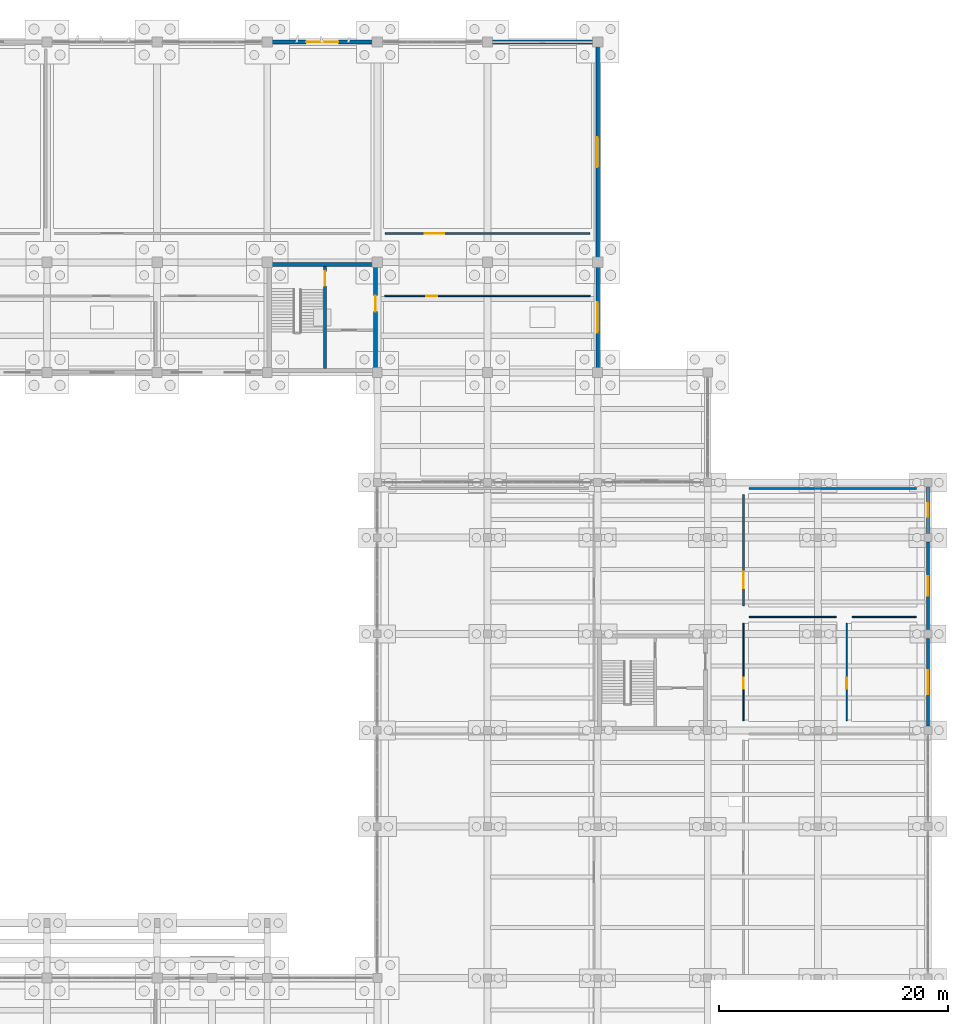
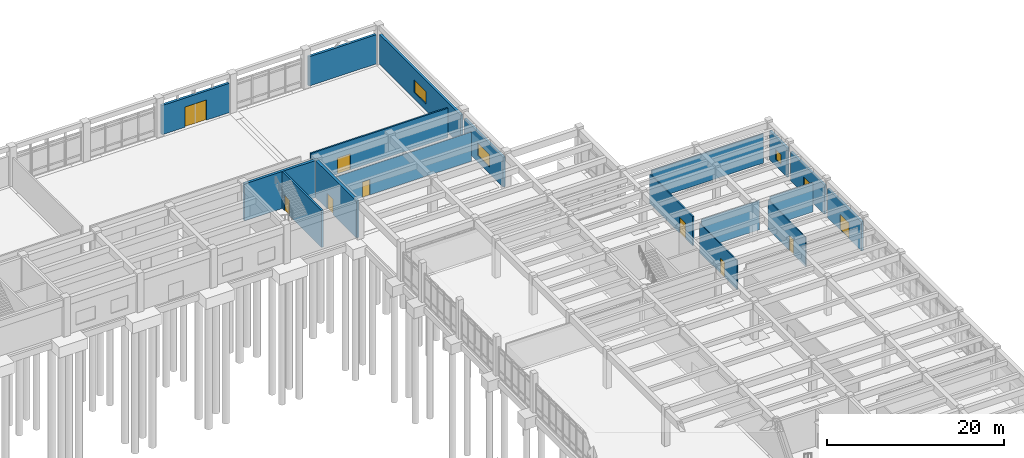
# One storey, part 85 of 102: 18 walls, 9 doors, 4 windows, 13 openings.
"""IFC4 building model written with IfcOpenShell, lengths in metres."""

from ifc_helpers import new_model, si_unit, direction, frame, frame_2d, origin, place, context, subcontext, project, spatial, rectangle, extrude, material, layer, layer_set, type_object, element, fill, save


model = new_model("IFC4")

# Units and contexts
model_context = context("Model", 3, precision=1e-05, world=origin(), true_north=direction((0.0, 1.0)))
body_context = subcontext(model_context, "Body", "Model", "MODEL_VIEW")
ifc_project = project(units=[si_unit("LENGTHUNIT", "METRE"), si_unit("AREAUNIT", "SQUARE_METRE"), si_unit("VOLUMEUNIT", "CUBIC_METRE"), si_unit("PLANEANGLEUNIT", "RADIAN"), si_unit("MASSUNIT", "GRAM", prefix="KILO")], contexts=[model_context])

# Site, building, storey
site_placement = place(None, origin())
site = spatial("IfcSite", under=ifc_project, at=site_placement, CompositionType="ELEMENT")
building_placement = place(site_placement, origin())
building = spatial("IfcBuilding", under=site, at=building_placement, Name="Kolvemor Railside Polytechnic", CompositionType="ELEMENT")
storey_placement = place(building_placement, origin())
storey = spatial("IfcBuildingStorey", under=building, at=storey_placement, Name="L00", CompositionType="ELEMENT", Elevation=0.0)

# Wall
ifc_material_1 = material(Name="Concrete C40/50", Category="concrete")
ifc_layer_1 = layer(ifc_material_1, 0.35009765625, Name="WL-CORE-350")
ifc_layer_set_1 = layer_set([ifc_layer_1], Name="Concrete C40/50")
wall_type_1 = type_object("IfcWallType", Name="WL-CORE-350", PredefinedType="SHEAR", material=ifc_layer_set_1)
wall_1_placement = place(storey_placement, frame((124.800048828125, 100.625, 0.0), z_axis=(0.0, 0.0, 1.0), x_axis=(1.0, 0.0, 0.0)))
element("IfcWall", 1, at=wall_1_placement, inside=storey, type_object=wall_type_1, Name="CORE-9 North Core Wall L00", PredefinedType="SHEAR", context=body_context, shape_type="SweptSolid", body=[
    extrude(rectangle(XDim=9.599853515625, YDim=0.35009765625, at=frame_2d((4.7998046875, 0.0))), origin(), (0.0, 0.0, 1.0), 5.110107421875),
])

# Wall, opening, door
wall_2_placement = place(storey_placement, frame((134.22509765625, 91.199951171875, 0.0), z_axis=(0.0, 0.0, 1.0), x_axis=(0.0, 1.0, 0.0)))
wall_2 = element("IfcWall", 2, at=wall_2_placement, inside=storey, type_object=wall_type_1, Name="CORE-9 East Core Wall L00", PredefinedType="SHEAR", context=body_context, shape_type="SweptSolid", body=[
    extrude(rectangle(XDim=9.60009765625, YDim=0.35009765625, at=frame_2d((4.800048828125, 0.0))), origin(), (0.0, 0.0, 1.0), 5.110107421875),
])
opening_1_placement = place(wall_2_placement, frame((5.300048828125, 0.0, 0.0)))
opening_1 = element("IfcOpeningElement", 3, at=opening_1_placement, cuts=wall_2, Name="Opening D-LOB-9-L00", PredefinedType="OPENING", context=body_context, shape_type="SweptSolid", body=[
    extrude(rectangle(XDim=1.39990234375, YDim=2.14990234375, at=frame_2d((0.699951171875, 1.074951171875))), frame((0.0, 0.18505859375, 0.0), z_axis=(0.0, -1.0, 0.0), x_axis=(1.0, 0.0, 0.0)), (0.0, 0.0, 1.0), 0.3701171875),
])
ifc_material_2 = material(Name="Fire-rated hardwood and brushed stainless-steel door", Category="steel")
door_type_1 = type_object("IfcDoorType", Name="DR-FD60-140x215", OperationType="NOTDEFINED", PredefinedType="DOOR", material=ifc_material_2)
door_1_placement = place(opening_1_placement, origin())
door_1 = element("IfcDoor", 4, at=door_1_placement, inside=storey, type_object=door_type_1, Name="Core Lobby Fire Door CORE-9 L00", OperationType="SINGLE_SWING_LEFT", OverallHeight=2.14990234375, OverallWidth=1.39990234375, PredefinedType="DOOR", context=body_context, shape_type="SweptSolid", body=[
    extrude(rectangle(XDim=1.39990234375, YDim=2.14990234375, at=frame_2d((0.699951171875, 1.074951171875))), frame((0.0, 0.02490234375, 0.0), z_axis=(0.0, -1.0, 0.0), x_axis=(1.0, 0.0, 0.0)), (0.0, 0.0, 1.0), 0.050048828125),
])
fill(opening_1, door_1)

ifc_material_3 = material(Name="Precast concrete C40/50", Category="concrete")
ifc_layer_2 = layer(ifc_material_3, 0.27001953125, Name="WL-EXT-RC-270")
ifc_layer_set_2 = layer_set([ifc_layer_2], Name="Precast concrete C40/50")
wall_type_2 = type_object("IfcWallType", Name="WL-EXT-RC-270", PredefinedType="SOLIDWALL", material=ifc_layer_set_2)
wall_3_placement = place(storey_placement, frame((182.39990234375, 60.3798828125, 0.0), z_axis=(0.0, 0.0, 1.0), x_axis=(0.0, 1.0, 0.0)))
wall_3 = element("IfcWall", 5, at=wall_3_placement, inside=storey, type_object=wall_type_2, Name="Exterior Wall L00-0071", PredefinedType="SOLIDWALL", context=body_context, shape_type="SweptSolid", body=[
    extrude(rectangle(XDim=7.64013671875, YDim=0.27001953125, at=frame_2d((3.820068359375, 0.0))), origin(), (0.0, 0.0, 1.0), 4.0400390625),
])
opening_2_placement = place(wall_3_placement, frame((2.77001953125, 0.0, 0.0)))
opening_2 = element("IfcOpeningElement", 6, at=opening_2_placement, cuts=wall_3, Name="Opening EX-08", PredefinedType="OPENING", context=body_context, shape_type="SweptSolid", body=[
    extrude(rectangle(XDim=2.10009765625, YDim=2.199951171875, at=frame_2d((1.050048828125, 1.10009765625))), frame((0.0, 0.14501953125, 0.0), z_axis=(0.0, -1.0, 0.0), x_axis=(1.0, 0.0, 0.0)), (0.0, 0.0, 1.0), 0.2900390625),
])
ifc_material_4 = material(Name="Marine-grade thermally broken aluminium and laminated glass door", Category="aluminium")
door_type_2 = type_object("IfcDoorType", Name="DR-EXIT-210x220", OperationType="NOTDEFINED", PredefinedType="DOOR", material=ifc_material_4)
door_2_placement = place(opening_2_placement, origin())
door_2 = element("IfcDoor", 7, at=door_2_placement, inside=storey, type_object=door_type_2, Name="Exterior Door EX-08", OperationType="SINGLE_SWING_LEFT", OverallHeight=2.199951171875, OverallWidth=2.10009765625, PredefinedType="DOOR", context=body_context, shape_type="SweptSolid", body=[
    extrude(rectangle(XDim=2.10009765625, YDim=2.199951171875, at=frame_2d((1.050048828125, 1.10009765625))), frame((0.0, 0.02490234375, 0.0), z_axis=(0.0, -1.0, 0.0), x_axis=(1.0, 0.0, 0.0)), (0.0, 0.0, 1.0), 0.050048828125),
])
fill(opening_2, door_2)

# Wall, opening, window
wall_4_placement = place(storey_placement, frame((182.39990234375, 68.780029296875, 0.0), z_axis=(0.0, 0.0, 1.0), x_axis=(0.0, 1.0, 0.0)))
wall_4 = element("IfcWall", 8, at=wall_4_placement, inside=storey, type_object=wall_type_2, Name="Exterior Wall L00-0078", PredefinedType="SOLIDWALL", context=body_context, shape_type="SweptSolid", body=[
    extrude(rectangle(XDim=7.639892578125, YDim=0.27001953125, at=frame_2d((3.81982421875, 0.0))), origin(), (0.0, 0.0, 1.0), 4.0400390625),
])
opening_3_placement = place(wall_4_placement, frame((2.969970703125, 0.0, 0.89990234375)))
opening_3 = element("IfcOpeningElement", 9, at=opening_3_placement, cuts=wall_4, Name="Opening WN-M19", PredefinedType="OPENING", context=body_context, shape_type="SweptSolid", body=[
    extrude(rectangle(XDim=1.699951171875, YDim=1.449951171875, at=frame_2d((0.85009765625, 0.72509765625))), frame((0.0, 0.14501953125, 0.0), z_axis=(0.0, -1.0, 0.0), x_axis=(1.0, 0.0, 0.0)), (0.0, 0.0, 1.0), 0.2900390625),
])
ifc_material_5 = material(Name="Hurricane-laminated thermally broken aluminium window", Category="aluminium")
window_type_1 = type_object("IfcWindowType", Name="WN-MOD-170x145", PartitioningType="SINGLE_PANEL", PredefinedType="WINDOW", material=ifc_material_5)
window_1_placement = place(opening_3_placement, origin())
window_1 = element("IfcWindow", 10, at=window_1_placement, inside=storey, type_object=window_type_1, Name="Window L00-0082", OverallHeight=1.449951171875, OverallWidth=1.699951171875, PartitioningType="SINGLE_PANEL", PredefinedType="WINDOW", context=body_context, shape_type="SweptSolid", body=[
    extrude(rectangle(XDim=1.699951171875, YDim=1.449951171875, at=frame_2d((0.85009765625, 0.72509765625))), frame((0.0, 0.030029296875, 0.0), z_axis=(0.0, -1.0, 0.0), x_axis=(1.0, 0.0, 0.0)), (0.0, 0.0, 1.0), 0.06005859375),
])
fill(opening_3, window_1)

wall_5_placement = place(storey_placement, frame((182.39990234375, 77.179931640625, 0.0), z_axis=(0.0, 0.0, 1.0), x_axis=(0.0, 1.0, 0.0)))
wall_5 = element("IfcWall", 11, at=wall_5_placement, inside=storey, type_object=wall_type_2, Name="Exterior Wall L00-0084", PredefinedType="SOLIDWALL", context=body_context, shape_type="SweptSolid", body=[
    extrude(rectangle(XDim=4.0400390625, YDim=0.27001953125, at=frame_2d((2.02001953125, 0.0))), origin(), (0.0, 0.0, 1.0), 4.0400390625),
])
opening_4_placement = place(wall_5_placement, frame((1.419921875, 0.0, 0.89990234375)))
opening_4 = element("IfcOpeningElement", 12, at=opening_4_placement, cuts=wall_5, Name="Opening WN-ADM2", PredefinedType="OPENING", context=body_context, shape_type="SweptSolid", body=[
    extrude(rectangle(XDim=1.199951171875, YDim=1.39990234375, at=frame_2d((0.60009765625, 0.699951171875))), frame((0.0, 0.14501953125, 0.0), z_axis=(0.0, -1.0, 0.0), x_axis=(1.0, 0.0, 0.0)), (0.0, 0.0, 1.0), 0.2900390625),
])
ifc_material_6 = material(Name="Hurricane-laminated thermally broken aluminium window", Category="aluminium")
window_type_2 = type_object("IfcWindowType", Name="WN-ADM-120x140", PartitioningType="SINGLE_PANEL", PredefinedType="WINDOW", material=ifc_material_6)
window_2_placement = place(opening_4_placement, origin())
window_2 = element("IfcWindow", 13, at=window_2_placement, inside=storey, type_object=window_type_2, Name="Window L00-0088", OverallHeight=1.39990234375, OverallWidth=1.199951171875, PartitioningType="SINGLE_PANEL", PredefinedType="WINDOW", context=body_context, shape_type="SweptSolid", body=[
    extrude(rectangle(XDim=1.199951171875, YDim=1.39990234375, at=frame_2d((0.60009765625, 0.699951171875))), frame((0.0, 0.030029296875, 0.0), z_axis=(0.0, -1.0, 0.0), x_axis=(1.0, 0.0, 0.0)), (0.0, 0.0, 1.0), 0.06005859375),
])
fill(opening_4, window_2)

ifc_material_7 = material(Name="Concrete C40/50", Category="concrete")
ifc_layer_3 = layer(ifc_material_7, 0.300048828125, Name="WL-EXT-RC-300")
ifc_layer_set_3 = layer_set([ifc_layer_3], Name="Concrete C40/50")
wall_type_3 = type_object("IfcWallType", Name="WL-EXT-RC-300", PredefinedType="SOLIDWALL", material=ifc_layer_set_3)
wall_6_placement = place(storey_placement, frame((153.60009765625, 91.580078125, 0.0), z_axis=(0.0, 0.0, 1.0), x_axis=(0.0, 1.0, 0.0)))
wall_6 = element("IfcWall", 14, at=wall_6_placement, inside=storey, type_object=wall_type_3, Name="Exterior Wall L00-0017", PredefinedType="SOLIDWALL", context=body_context, shape_type="SweptSolid", body=[
    extrude(rectangle(XDim=8.83984375, YDim=0.300048828125, at=frame_2d((4.419921875, 0.0))), origin(), (0.0, 0.0, 1.0), 4.139892578125),
])
opening_5_placement = place(wall_6_placement, frame((3.094970703125, 0.0, 0.89990234375)))
opening_5 = element("IfcOpeningElement", 15, at=opening_5_placement, cuts=wall_6, Name="Opening WN-M14", PredefinedType="OPENING", context=body_context, shape_type="SweptSolid", body=[
    extrude(rectangle(XDim=2.64990234375, YDim=1.75, at=frame_2d((1.324951171875, 0.875))), frame((0.0, 0.159912109375, 0.0), z_axis=(0.0, -1.0, 0.0), x_axis=(1.0, 0.0, 0.0)), (0.0, 0.0, 1.0), 0.320068359375),
])
ifc_material_8 = material(Name="Hurricane-laminated thermally broken aluminium window", Category="aluminium")
window_type_3 = type_object("IfcWindowType", Name="WN-MOD-265x175", PartitioningType="DOUBLE_PANEL_VERTICAL", PredefinedType="WINDOW", material=ifc_material_8)
window_3_placement = place(opening_5_placement, origin())
window_3 = element("IfcWindow", 16, at=window_3_placement, inside=storey, type_object=window_type_3, Name="Window L00-0012", OverallHeight=1.75, OverallWidth=2.64990234375, PartitioningType="SINGLE_PANEL", PredefinedType="WINDOW", context=body_context, shape_type="SweptSolid", body=[
    extrude(rectangle(XDim=2.64990234375, YDim=1.75, at=frame_2d((1.324951171875, 0.875))), frame((0.0, 0.030029296875, 0.0), z_axis=(0.0, -1.0, 0.0), x_axis=(1.0, 0.0, 0.0)), (0.0, 0.0, 1.0), 0.06005859375),
])
fill(opening_5, window_3)

wall_7_placement = place(storey_placement, frame((153.60009765625, 101.179931640625, 0.0), z_axis=(0.0, 0.0, 1.0), x_axis=(0.0, 1.0, 0.0)))
wall_7 = element("IfcWall", 17, at=wall_7_placement, inside=storey, type_object=wall_type_3, Name="Exterior Wall L00-0021", PredefinedType="SOLIDWALL", context=body_context, shape_type="SweptSolid", body=[
    extrude(rectangle(XDim=18.440185546875, YDim=0.300048828125, at=frame_2d((9.22021484375, 0.0))), origin(), (0.0, 0.0, 1.0), 4.139892578125),
])
opening_6_placement = place(wall_7_placement, frame((7.89501953125, 0.0, 0.89990234375)))
opening_6 = element("IfcOpeningElement", 18, at=opening_6_placement, cuts=wall_7, Name="Opening WN-M14", PredefinedType="OPENING", context=body_context, shape_type="SweptSolid", body=[
    extrude(rectangle(XDim=2.64990234375, YDim=1.75, at=frame_2d((1.324951171875, 0.875))), frame((0.0, 0.159912109375, 0.0), z_axis=(0.0, -1.0, 0.0), x_axis=(1.0, 0.0, 0.0)), (0.0, 0.0, 1.0), 0.320068359375),
])
window_4_placement = place(opening_6_placement, origin())
window_4 = element("IfcWindow", 19, at=window_4_placement, inside=storey, type_object=window_type_3, Name="Window L00-0016", OverallHeight=1.75, OverallWidth=2.64990234375, PartitioningType="SINGLE_PANEL", PredefinedType="WINDOW", context=body_context, shape_type="SweptSolid", body=[
    extrude(rectangle(XDim=2.64990234375, YDim=1.75, at=frame_2d((1.324951171875, 0.875))), frame((0.0, 0.030029296875, 0.0), z_axis=(0.0, -1.0, 0.0), x_axis=(1.0, 0.0, 0.0)), (0.0, 0.0, 1.0), 0.06005859375),
])
fill(opening_6, window_4)

# Wall, opening, door
ifc_material_9 = material(Name="Concrete C40/50", Category="concrete")
ifc_layer_4 = layer(ifc_material_9, 0.320068359375, Name="WL-EXT-RC-320")
ifc_layer_set_4 = layer_set([ifc_layer_4], Name="Concrete C40/50")
wall_type_4 = type_object("IfcWallType", Name="WL-EXT-RC-320", PredefinedType="SOLIDWALL", material=ifc_layer_set_4)
wall_8_placement = place(storey_placement, frame((134.02001953125, 120.0, 0.0), z_axis=(0.0, 0.0, 1.0), x_axis=(-1.0, 0.0, 0.0)))
wall_8 = element("IfcWall", 20, at=wall_8_placement, inside=storey, type_object=wall_type_4, Name="Exterior Wall L00-0013", PredefinedType="SOLIDWALL", context=body_context, shape_type="SweptSolid", body=[
    extrude(rectangle(XDim=8.840087890625, YDim=0.320068359375, at=frame_2d((4.419921875, 0.0))), origin(), (0.0, 0.0, 1.0), 4.0400390625),
])
opening_7_placement = place(wall_8_placement, frame((3.02001953125, 0.0, 0.0)))
opening_7 = element("IfcOpeningElement", 21, at=opening_7_placement, cuts=wall_8, Name="Opening GD-02", PredefinedType="OPENING", context=body_context, shape_type="SweptSolid", body=[
    extrude(rectangle(XDim=2.800048828125, YDim=2.800048828125, at=frame_2d((1.39990234375, 1.39990234375))), frame((0.0, 0.169921875, 0.0), z_axis=(0.0, -1.0, 0.0), x_axis=(1.0, 0.0, 0.0)), (0.0, 0.0, 1.0), 0.340087890625),
])
ifc_material_10 = material(Name="Marine-grade thermally broken aluminium and laminated glass door", Category="aluminium")
door_type_3 = type_object("IfcDoorType", Name="DR-GATE-280x280", OperationType="ROLLINGUP", PredefinedType="GATE", material=ifc_material_10)
door_3_placement = place(opening_7_placement, origin())
door_3 = element("IfcDoor", 22, at=door_3_placement, inside=storey, type_object=door_type_3, Name="Exterior Door GD-02", OperationType="ROLLINGUP", OverallHeight=2.800048828125, OverallWidth=2.800048828125, PredefinedType="GATE", context=body_context, shape_type="SweptSolid", body=[
    extrude(rectangle(XDim=2.800048828125, YDim=2.800048828125, at=frame_2d((1.39990234375, 1.39990234375))), frame((0.0, 0.02490234375, 0.0), z_axis=(0.0, -1.0, 0.0), x_axis=(1.0, 0.0, 0.0)), (0.0, 0.0, 1.0), 0.050048828125),
])
fill(opening_7, door_3)

# Wall
wall_9_placement = place(storey_placement, frame((153.219970703125, 120.0, 0.0), z_axis=(0.0, 0.0, 1.0), x_axis=(-1.0, 0.0, 0.0)))
element("IfcWall", 23, at=wall_9_placement, inside=storey, type_object=wall_type_4, Name="Exterior Wall L00-0014", PredefinedType="SOLIDWALL", context=body_context, shape_type="SweptSolid", body=[
    extrude(rectangle(XDim=8.840087890625, YDim=0.320068359375, at=frame_2d((4.419921875, 0.0))), origin(), (0.0, 0.0, 1.0), 4.0400390625),
])

# Wall, opening, door
ifc_material_11 = material(Name="Wet-area tile-backer partition")
ifc_layer_5 = layer(ifc_material_11, 0.1201171875, Name="WL-PART-120")
ifc_layer_set_5 = layer_set([ifc_layer_5], Name="Wet-area tile-backer partition")
wall_type_5 = type_object("IfcWallType", Name="WL-PART-120", PredefinedType="PARTITIONING", material=ifc_layer_set_5)
wall_10_placement = place(storey_placement, frame((135.050048828125, 97.8798828125, 0.0), z_axis=(0.0, 0.0, 1.0), x_axis=(1.0, 0.0, 0.0)))
wall_10 = element("IfcWall", 24, at=wall_10_placement, inside=storey, type_object=wall_type_5, Name="Partition Wall L00-0017", PredefinedType="PARTITIONING", context=body_context, shape_type="SweptSolid", body=[
    extrude(rectangle(XDim=17.89990234375, YDim=0.1201171875, at=frame_2d((8.949951171875, 0.0))), origin(), (0.0, 0.0, 1.0), 4.0400390625),
])
opening_8_placement = place(wall_10_placement, frame((3.6298828125, 0.0, 0.0)))
opening_8 = element("IfcOpeningElement", 25, at=opening_8_placement, cuts=wall_10, Name="Opening D-00011", PredefinedType="OPENING", context=body_context, shape_type="SweptSolid", body=[
    extrude(rectangle(XDim=0.949951171875, YDim=2.10009765625, at=frame_2d((0.47509765625, 1.050048828125))), frame((0.0, 0.070068359375, 0.0), z_axis=(0.0, -1.0, 0.0), x_axis=(1.0, 0.0, 0.0)), (0.0, 0.0, 1.0), 0.14013671875),
])
ifc_material_12 = material(Name="Solid hardwood acoustic door", Category="wood")
door_type_4 = type_object("IfcDoorType", Name="DR-WC-095x210", OperationType="NOTDEFINED", PredefinedType="DOOR", material=ifc_material_12)
door_4_placement = place(opening_8_placement, origin())
door_4 = element("IfcDoor", 26, at=door_4_placement, inside=storey, type_object=door_type_4, Name="Room Door D-00011 (Workshop Washrooms and Accessible WC L00-N)", OperationType="SINGLE_SWING_RIGHT", OverallHeight=2.10009765625, OverallWidth=0.949951171875, PredefinedType="DOOR", context=body_context, shape_type="SweptSolid", body=[
    extrude(rectangle(XDim=0.949951171875, YDim=2.10009765625, at=frame_2d((0.47509765625, 1.050048828125))), frame((0.0, 0.02490234375, 0.0), z_axis=(0.0, -1.0, 0.0), x_axis=(1.0, 0.0, 0.0)), (0.0, 0.0, 1.0), 0.050048828125),
])
fill(opening_8, door_4)

wall_11_placement = place(storey_placement, frame((166.320068359375, 60.85009765625, 0.0), z_axis=(0.0, 0.0, 1.0), x_axis=(0.0, 1.0, 0.0)))
wall_11 = element("IfcWall", 27, at=wall_11_placement, inside=storey, type_object=wall_type_5, Name="Partition Wall L00-0071", PredefinedType="PARTITIONING", context=body_context, shape_type="SweptSolid", body=[
    extrude(rectangle(XDim=8.5, YDim=0.1201171875, at=frame_2d((4.25, 0.0))), origin(), (0.0, 0.0, 1.0), 4.0400390625),
])
opening_9_placement = place(wall_11_placement, frame((2.761962890625, 0.0, 0.0)))
opening_9 = element("IfcOpeningElement", 28, at=opening_9_placement, cuts=wall_11, Name="Opening D-00041", PredefinedType="OPENING", context=body_context, shape_type="SweptSolid", body=[
    extrude(rectangle(XDim=0.949951171875, YDim=2.10009765625, at=frame_2d((0.47509765625, 1.050048828125))), frame((0.0, 0.070068359375, 0.0), z_axis=(0.0, -1.0, 0.0), x_axis=(1.0, 0.0, 0.0)), (0.0, 0.0, 1.0), 0.14013671875),
])
door_5_placement = place(opening_9_placement, origin())
door_5 = element("IfcDoor", 29, at=door_5_placement, inside=storey, type_object=door_type_4, Name="Room Door D-00041 (Refectory Public WC L00)", OperationType="SINGLE_SWING_RIGHT", OverallHeight=2.10009765625, OverallWidth=0.949951171875, PredefinedType="DOOR", context=body_context, shape_type="SweptSolid", body=[
    extrude(rectangle(XDim=0.949951171875, YDim=2.10009765625, at=frame_2d((0.47509765625, 1.050048828125))), frame((0.0, 0.02490234375, 0.0), z_axis=(0.0, -1.0, 0.0), x_axis=(1.0, 0.0, 0.0)), (0.0, 0.0, 1.0), 0.050048828125),
])
fill(opening_9, door_5)

# Wall
wall_12_placement = place(storey_placement, frame((166.800048828125, 69.8798828125, 0.0), z_axis=(0.0, 0.0, 1.0), x_axis=(1.0, 0.0, 0.0)))
element("IfcWall", 30, at=wall_12_placement, inside=storey, type_object=wall_type_5, Name="Demising Partition L00-0072", PredefinedType="PARTITIONING", context=body_context, shape_type="SweptSolid", body=[
    extrude(rectangle(XDim=7.599853515625, YDim=0.1201171875, at=frame_2d((3.7998046875, 0.0))), origin(), (0.0, 0.0, 1.0), 4.0400390625),
])

# Wall, opening, door
wall_13_placement = place(storey_placement, frame((175.320068359375, 60.85009765625, 0.0), z_axis=(0.0, 0.0, 1.0), x_axis=(0.0, 1.0, 0.0)))
wall_13 = element("IfcWall", 31, at=wall_13_placement, inside=storey, type_object=wall_type_5, Name="Partition Wall L00-0073", PredefinedType="PARTITIONING", context=body_context, shape_type="SweptSolid", body=[
    extrude(rectangle(XDim=8.5, YDim=0.1201171875, at=frame_2d((4.25, 0.0))), origin(), (0.0, 0.0, 1.0), 4.0400390625),
])
opening_10_placement = place(wall_13_placement, frame((2.761962890625, 0.0, 0.0)))
opening_10 = element("IfcOpeningElement", 32, at=opening_10_placement, cuts=wall_13, Name="Opening D-00042", PredefinedType="OPENING", context=body_context, shape_type="SweptSolid", body=[
    extrude(rectangle(XDim=0.949951171875, YDim=2.10009765625, at=frame_2d((0.47509765625, 1.050048828125))), frame((0.0, 0.070068359375, 0.0), z_axis=(0.0, -1.0, 0.0), x_axis=(1.0, 0.0, 0.0)), (0.0, 0.0, 1.0), 0.14013671875),
])
door_6_placement = place(opening_10_placement, origin())
door_6 = element("IfcDoor", 33, at=door_6_placement, inside=storey, type_object=door_type_4, Name="Room Door D-00042 (Refectory Accessible WC L00)", OperationType="SINGLE_SWING_LEFT", OverallHeight=2.10009765625, OverallWidth=0.949951171875, PredefinedType="DOOR", context=body_context, shape_type="SweptSolid", body=[
    extrude(rectangle(XDim=0.949951171875, YDim=2.10009765625, at=frame_2d((0.47509765625, 1.050048828125))), frame((0.0, 0.02490234375, 0.0), z_axis=(0.0, -1.0, 0.0), x_axis=(1.0, 0.0, 0.0)), (0.0, 0.0, 1.0), 0.050048828125),
])
fill(opening_10, door_6)

# Wall
wall_14_placement = place(storey_placement, frame((175.800048828125, 69.8798828125, 0.0), z_axis=(0.0, 0.0, 1.0), x_axis=(1.0, 0.0, 0.0)))
element("IfcWall", 34, at=wall_14_placement, inside=storey, type_object=wall_type_5, Name="Demising Partition L00-0074", PredefinedType="PARTITIONING", context=body_context, shape_type="SweptSolid", body=[
    extrude(rectangle(XDim=5.599853515625, YDim=0.1201171875, at=frame_2d((2.7998046875, 0.0))), origin(), (0.0, 0.0, 1.0), 4.0400390625),
])

# Wall, opening, door
ifc_material_13 = material(Name="Fire-rated double-stud acoustic partition")
ifc_layer_6 = layer(ifc_material_13, 0.179931640625, Name="WL-PART-180")
ifc_layer_set_6 = layer_set([ifc_layer_6], Name="Fire-rated double-stud acoustic partition")
wall_type_6 = type_object("IfcWallType", Name="WL-PART-180", PredefinedType="PARTITIONING", material=ifc_layer_set_6)
wall_15_placement = place(storey_placement, frame((166.320068359375, 70.85009765625, 0.0), z_axis=(0.0, 0.0, 1.0), x_axis=(0.0, 1.0, 0.0)))
wall_15 = element("IfcWall", 35, at=wall_15_placement, inside=storey, type_object=wall_type_6, Name="Partition Wall L00-0075", PredefinedType="PARTITIONING", context=body_context, shape_type="SweptSolid", body=[
    extrude(rectangle(XDim=9.699951171875, YDim=0.179931640625, at=frame_2d((4.85009765625, 0.0))), origin(), (0.0, 0.0, 1.0), 4.0400390625),
])
opening_11_placement = place(wall_15_placement, frame((1.51708984375, 0.0, 0.0)))
opening_11 = element("IfcOpeningElement", 36, at=opening_11_placement, cuts=wall_15, Name="Opening D-00043", PredefinedType="OPENING", context=body_context, shape_type="SweptSolid", body=[
    extrude(rectangle(XDim=1.449951171875, YDim=2.14990234375, at=frame_2d((0.72509765625, 1.074951171875))), frame((0.0, 0.099853515625, 0.0), z_axis=(0.0, -1.0, 0.0), x_axis=(1.0, 0.0, 0.0)), (0.0, 0.0, 1.0), 0.199951171875),
])
ifc_material_14 = material(Name="Fire-rated hardwood and brushed stainless-steel door", Category="steel")
door_type_5 = type_object("IfcDoorType", Name="DR-PLT-145x215", OperationType="NOTDEFINED", PredefinedType="DOOR", material=ifc_material_14)
door_7_placement = place(opening_11_placement, origin())
door_7 = element("IfcDoor", 37, at=door_7_placement, inside=storey, type_object=door_type_5, Name="Room Door D-00043 (East Sub-Plant and Refuse Store)", OperationType="SINGLE_SWING_RIGHT", OverallHeight=2.14990234375, OverallWidth=1.449951171875, PredefinedType="DOOR", context=body_context, shape_type="SweptSolid", body=[
    extrude(rectangle(XDim=1.449951171875, YDim=2.14990234375, at=frame_2d((0.72509765625, 1.074951171875))), frame((0.0, 0.02490234375, 0.0), z_axis=(0.0, -1.0, 0.0), x_axis=(1.0, 0.0, 0.0)), (0.0, 0.0, 1.0), 0.050048828125),
])
fill(opening_11, door_7)

# Wall
wall_16_placement = place(storey_placement, frame((166.800048828125, 81.080078125, 0.0), z_axis=(0.0, 0.0, 1.0), x_axis=(1.0, 0.0, 0.0)))
element("IfcWall", 38, at=wall_16_placement, inside=storey, type_object=wall_type_6, Name="Demising Partition L00-0076", PredefinedType="PARTITIONING", context=body_context, shape_type="SweptSolid", body=[
    extrude(rectangle(XDim=14.599853515625, YDim=0.179931640625, at=frame_2d((7.2998046875, 0.0))), origin(), (0.0, 0.0, 1.0), 4.0400390625),
])

# Wall, opening, door
ifc_material_15 = material(Name="Acoustic concrete blockwork and gypsum", Category="masonry")
ifc_layer_7 = layer(ifc_material_15, 0.199951171875, Name="WL-PART-200")
ifc_layer_set_7 = layer_set([ifc_layer_7], Name="Acoustic concrete blockwork and gypsum")
wall_type_7 = type_object("IfcWallType", Name="WL-PART-200", PredefinedType="PARTITIONING", material=ifc_layer_set_7)
wall_17_placement = place(storey_placement, frame((135.050048828125, 103.320068359375, 0.0), z_axis=(0.0, 0.0, 1.0), x_axis=(1.0, 0.0, 0.0)))
wall_17 = element("IfcWall", 39, at=wall_17_placement, inside=storey, type_object=wall_type_7, Name="Partition Wall L00-0007", PredefinedType="PARTITIONING", context=body_context, shape_type="SweptSolid", body=[
    extrude(rectangle(XDim=17.89990234375, YDim=0.199951171875, at=frame_2d((8.949951171875, 0.0))), origin(), (0.0, 0.0, 1.0), 4.0400390625),
])
opening_12_placement = place(wall_17_placement, frame((3.47998046875, 0.0, 0.0)))
opening_12 = element("IfcOpeningElement", 40, at=opening_12_placement, cuts=wall_17, Name="Opening D-00005", PredefinedType="OPENING", context=body_context, shape_type="SweptSolid", body=[
    extrude(rectangle(XDim=1.699951171875, YDim=2.199951171875, at=frame_2d((0.85009765625, 1.10009765625))), frame((0.0, 0.10986328125, 0.0), z_axis=(0.0, -1.0, 0.0), x_axis=(1.0, 0.0, 0.0)), (0.0, 0.0, 1.0), 0.219970703125),
])
ifc_material_16 = material(Name="Fire-rated hardwood and brushed stainless-steel door", Category="steel")
door_type_6 = type_object("IfcDoorType", Name="DR-WKS-170x220", OperationType="NOTDEFINED", PredefinedType="DOOR", material=ifc_material_16)
door_8_placement = place(opening_12_placement, origin())
door_8 = element("IfcDoor", 41, at=door_8_placement, inside=storey, type_object=door_type_6, Name="Room Door D-00005 (Composite Boatbuilding Engineering Workshop)", OperationType="SINGLE_SWING_RIGHT", OverallHeight=2.199951171875, OverallWidth=1.699951171875, PredefinedType="DOOR", context=body_context, shape_type="SweptSolid", body=[
    extrude(rectangle(XDim=1.699951171875, YDim=2.199951171875, at=frame_2d((0.85009765625, 1.10009765625))), frame((0.0, 0.02490234375, 0.0), z_axis=(0.0, -1.0, 0.0), x_axis=(1.0, 0.0, 0.0)), (0.0, 0.0, 1.0), 0.050048828125),
])
fill(opening_12, door_8)

ifc_material_17 = material(Name="Concrete C40/50", Category="concrete")
ifc_layer_8 = layer(ifc_material_17, 0.25, Name="WL-SHFT-250")
ifc_layer_set_8 = layer_set([ifc_layer_8], Name="Concrete C40/50")
wall_type_8 = type_object("IfcWallType", Name="WL-SHFT-250", PredefinedType="SHEAR", material=ifc_layer_set_8)
wall_18_placement = place(storey_placement, frame((129.824951171875, 100.449951171875, 0.0), z_axis=(0.0, 0.0, 1.0), x_axis=(0.0, -1.0, 0.0)))
wall_18 = element("IfcWall", 42, at=wall_18_placement, inside=storey, type_object=wall_type_8, Name="CORE-9 Stair-Lobby Divider Wall L00", PredefinedType="SHEAR", context=body_context, shape_type="SweptSolid", body=[
    extrude(rectangle(XDim=8.89990234375, YDim=0.25, at=frame_2d((4.449951171875, 0.0))), origin(), (0.0, 0.0, 1.0), 5.110107421875),
])
opening_13_placement = place(wall_18_placement, frame((0.449951171875, 0.0, 0.0)))
opening_13 = element("IfcOpeningElement", 43, at=opening_13_placement, cuts=wall_18, Name="Opening D-ST-9-L00", PredefinedType="OPENING", context=body_context, shape_type="SweptSolid", body=[
    extrude(rectangle(XDim=1.25, YDim=2.14990234375, at=frame_2d((0.625, 1.074951171875))), frame((0.0, 0.135009765625, 0.0), z_axis=(0.0, -1.0, 0.0), x_axis=(1.0, 0.0, 0.0)), (0.0, 0.0, 1.0), 0.27001953125),
])
ifc_material_18 = material(Name="Fire-rated hardwood and brushed stainless-steel door", Category="steel")
door_type_7 = type_object("IfcDoorType", Name="DR-FD90-125x215", OperationType="NOTDEFINED", PredefinedType="DOOR", material=ifc_material_18)
door_9_placement = place(opening_13_placement, origin())
door_9 = element("IfcDoor", 44, at=door_9_placement, inside=storey, type_object=door_type_7, Name="Stair Fire Door ST-9 L00", OperationType="SINGLE_SWING_LEFT", OverallHeight=2.14990234375, OverallWidth=1.25, PredefinedType="DOOR", context=body_context, shape_type="SweptSolid", body=[
    extrude(rectangle(XDim=1.25, YDim=2.14990234375, at=frame_2d((0.625, 1.074951171875))), frame((0.0, 0.02490234375, 0.0), z_axis=(0.0, -1.0, 0.0), x_axis=(1.0, 0.0, 0.0)), (0.0, 0.0, 1.0), 0.050048828125),
])
fill(opening_13, door_9)

save(model, "model.ifc")
